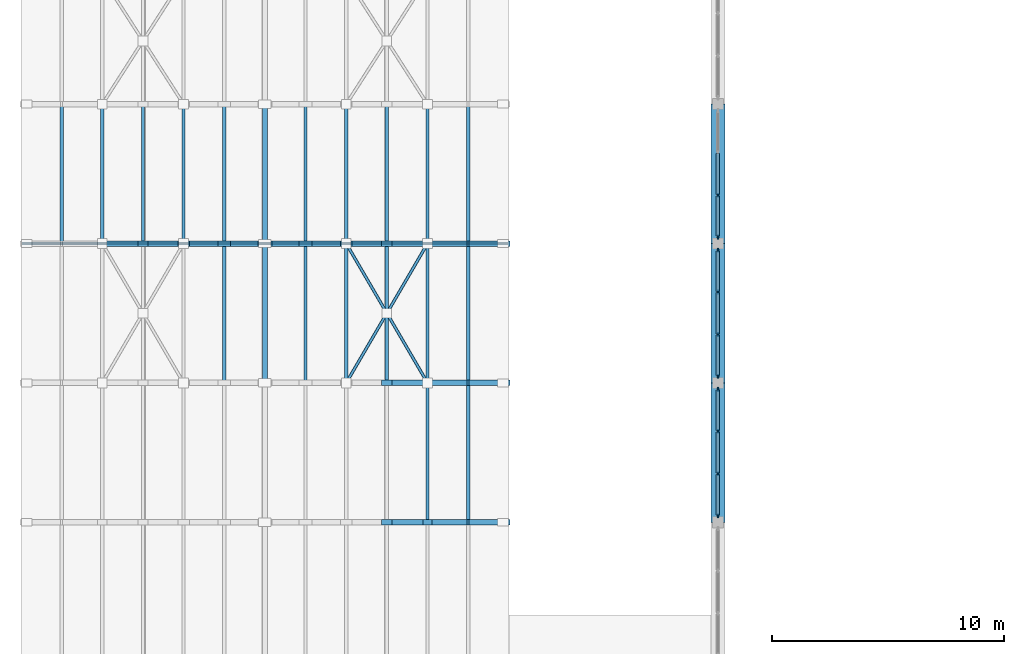
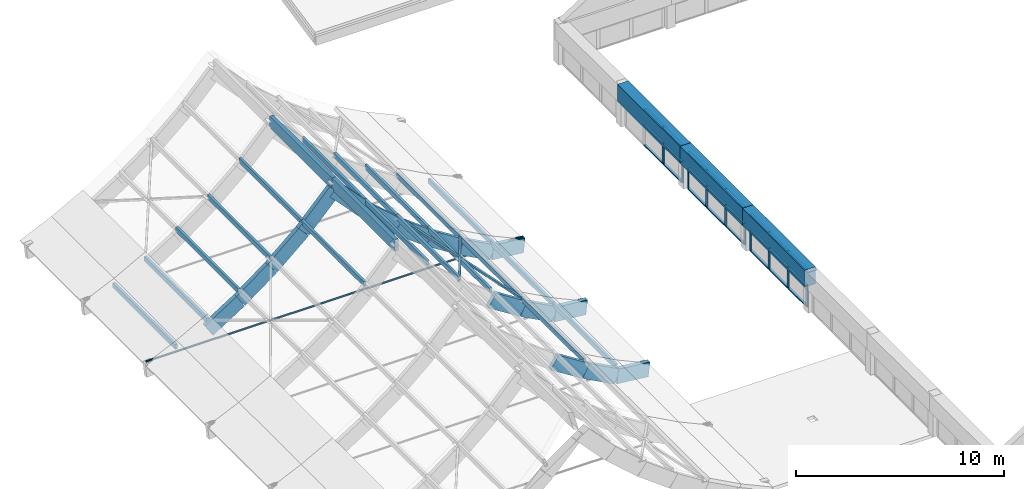
# One storey, part 8 of 45: 72 members, 5 beams, 3 elements without a shape of their own.
"""IFC4 building model written with IfcOpenShell, lengths in metres."""

from ifc_helpers import new_model, si_unit, direction, frame, origin, origin_2d, place, context, subcontext, project, spatial, rectangle, hollow_rectangle, hollow_circle, extrude, material, layer, layer_set, material_profile, profile_set, type_object, element, aggregate, save


model = new_model("IFC4")

# Units and contexts
model_context = context("Model", 3, precision=1e-05, world=origin(), true_north=direction((0.0, 1.0)))
body_context = subcontext(model_context, "Body", "Model", "MODEL_VIEW")
ifc_project = project(units=[si_unit("LENGTHUNIT", "METRE"), si_unit("AREAUNIT", "SQUARE_METRE"), si_unit("VOLUMEUNIT", "CUBIC_METRE"), si_unit("PLANEANGLEUNIT", "RADIAN"), si_unit("MASSUNIT", "GRAM", prefix="KILO")], contexts=[model_context])

# Site, building, storey
site_placement = place(None, origin())
site = spatial("IfcSite", under=ifc_project, at=site_placement, CompositionType="ELEMENT")
building_placement = place(site_placement, origin())
building = spatial("IfcBuilding", under=site, at=building_placement, Name="Solvane Community Centre", CompositionType="ELEMENT")
storey_placement = place(building_placement, frame((0.0, 0.0, 13.800048828125)))
storey = spatial("IfcBuildingStorey", under=building, at=storey_placement, Name="L03", CompositionType="ELEMENT", Elevation=13.800048828125)

# Beams
ifc_material_1 = material(Name="Glulam GL32h", Category="wood")
ifc_material_profile_1 = material_profile(ifc_material_1, rectangle(XDim=0.219970703125, YDim=0.679931640625, at=origin_2d()), Name="GL32h 220x680")
ifc_profile_set_1 = profile_set([ifc_material_profile_1], Name="Glulam GL32h")
beam_type_1 = type_object("IfcBeamType", Name="Glulam Sports Vault Ridge 220x680", PredefinedType="USERDEFINED", material=ifc_profile_set_1)
for number, where, z_axis, x_axis, name in (
    (1, (16.5, 60.0, 6.96044921875), (0.0, 1.0, 0.0), (-1.0, 0.0, 0.0), "Beam BM-L03-165_600-165_660"),
    (2, (16.5, 66.0, 6.96044921875), (0.0, 1.0, 0.0), (-1.0, 0.0, 0.0), "Beam BM-L03-165_660-165_720"),
):
    element("IfcBeam", number, at=place(storey_placement, frame(where, z_axis=z_axis, x_axis=x_axis)), inside=storey, type_object=beam_type_1, Name=name, ObjectType="GIRDER", PredefinedType="USERDEFINED", context=body_context, shape_type="SweptSolid", body=[
        extrude(rectangle(XDim=0.219970703125, YDim=0.679931640625, at=origin_2d()), origin(), (0.0, 0.0, 1.0), 6.0),
    ])

# Curtain wall, members
ifc_material_2 = material(Name="Anodised bronze aluminium AW-6063 T6", Category="aluminium")
ifc_layer = layer(ifc_material_2, 0.179931640625)
ifc_layer_set = layer_set([ifc_layer], Name="Anodised bronze aluminium AW-6063 T6")
curtain_wall_type = type_object("IfcCurtainWallType", Name="Hall Translucent Upper Curtain Wall [55x22dm]", PredefinedType="NOTDEFINED", material=ifc_layer_set)
curtain_wall_1_placement = place(storey_placement, origin())
curtain_wall_1 = element("IfcCurtainWall", 3, at=curtain_wall_1_placement, inside=storey, type_object=curtain_wall_type, Name="Curtain Wall CW-L03-360_717-130", PredefinedType="NOTDEFINED")
ifc_material_profile_2 = material_profile(ifc_material_2, rectangle(XDim=0.06005859375, YDim=0.179931640625, at=origin_2d()), Name="CW-M 60x180")
ifc_profile_set_2 = profile_set([ifc_material_profile_2], Name="Anodised bronze aluminium AW-6063 T6")
member_type_1 = type_object("IfcMemberType", Name="Hall Mullion 60x180", PredefinedType="MULLION", material=ifc_profile_set_2)
member_1_placement = place(storey_placement, frame((36.0, 68.0849609375, 0.0), z_axis=(0.0, 0.0, 1.0), x_axis=(1.0, 0.0, 0.0)))
member_1 = element("IfcMember", 4, at=member_1_placement, type_object=member_type_1, Name="CW01-55x22 mullion 3", PredefinedType="MULLION", context=body_context, shape_type="SweptSolid", body=[
    extrude(rectangle(XDim=0.06005859375, YDim=0.179931640625, at=origin_2d()), origin(), (0.0, 0.0, 1.0), 2.179931640625),
])
member_2_placement = place(storey_placement, frame((36.0, 66.284912109375, 0.0), z_axis=(0.0, 0.0, 1.0), x_axis=(1.0, 0.0, 0.0)))
member_2 = element("IfcMember", 5, at=member_2_placement, type_object=member_type_1, Name="CW01-55x22 mullion 4", PredefinedType="MULLION", context=body_context, shape_type="SweptSolid", body=[
    extrude(rectangle(XDim=0.06005859375, YDim=0.179931640625, at=origin_2d()), origin(), (0.0, 0.0, 1.0), 2.179931640625),
])

curtain_wall_2_placement = place(storey_placement, origin())
curtain_wall_2 = element("IfcCurtainWall", 6, at=curtain_wall_2_placement, inside=storey, type_object=curtain_wall_type, Name="Curtain Wall CW-L03-360_657-131", PredefinedType="NOTDEFINED")
member_3_placement = place(storey_placement, frame((36.0, 65.715087890625, 0.0), z_axis=(0.0, 0.0, 1.0), x_axis=(1.0, 0.0, 0.0)))
member_3 = element("IfcMember", 7, at=member_3_placement, type_object=member_type_1, Name="CW01-55x22 mullion 1", PredefinedType="MULLION", context=body_context, shape_type="SweptSolid", body=[
    extrude(rectangle(XDim=0.06005859375, YDim=0.179931640625, at=origin_2d()), origin(), (0.0, 0.0, 1.0), 2.179931640625),
])
member_4_placement = place(storey_placement, frame((36.0, 63.9150390625, 0.0), z_axis=(0.0, 0.0, 1.0), x_axis=(1.0, 0.0, 0.0)))
member_4 = element("IfcMember", 8, at=member_4_placement, type_object=member_type_1, Name="CW01-55x22 mullion 2", PredefinedType="MULLION", context=body_context, shape_type="SweptSolid", body=[
    extrude(rectangle(XDim=0.06005859375, YDim=0.179931640625, at=origin_2d()), origin(), (0.0, 0.0, 1.0), 2.179931640625),
])
member_5_placement = place(storey_placement, frame((36.0, 62.0849609375, 0.0), z_axis=(0.0, 0.0, 1.0), x_axis=(1.0, 0.0, 0.0)))
member_5 = element("IfcMember", 9, at=member_5_placement, type_object=member_type_1, Name="CW01-55x22 mullion 3", PredefinedType="MULLION", context=body_context, shape_type="SweptSolid", body=[
    extrude(rectangle(XDim=0.06005859375, YDim=0.179931640625, at=origin_2d()), origin(), (0.0, 0.0, 1.0), 2.179931640625),
])
member_6_placement = place(storey_placement, frame((36.0, 60.284912109375, 0.0), z_axis=(0.0, 0.0, 1.0), x_axis=(1.0, 0.0, 0.0)))
member_6 = element("IfcMember", 10, at=member_6_placement, type_object=member_type_1, Name="CW01-55x22 mullion 4", PredefinedType="MULLION", context=body_context, shape_type="SweptSolid", body=[
    extrude(rectangle(XDim=0.06005859375, YDim=0.179931640625, at=origin_2d()), origin(), (0.0, 0.0, 1.0), 2.179931640625),
])

curtain_wall_3_placement = place(storey_placement, origin())
curtain_wall_3 = element("IfcCurtainWall", 11, at=curtain_wall_3_placement, inside=storey, type_object=curtain_wall_type, Name="Curtain Wall CW-L03-360_597-132", PredefinedType="NOTDEFINED")
member_7_placement = place(storey_placement, frame((36.0, 59.715087890625, 0.0), z_axis=(0.0, 0.0, 1.0), x_axis=(1.0, 0.0, 0.0)))
member_7 = element("IfcMember", 12, at=member_7_placement, type_object=member_type_1, Name="CW01-55x22 mullion 1", PredefinedType="MULLION", context=body_context, shape_type="SweptSolid", body=[
    extrude(rectangle(XDim=0.06005859375, YDim=0.179931640625, at=origin_2d()), origin(), (0.0, 0.0, 1.0), 2.179931640625),
])
member_8_placement = place(storey_placement, frame((36.0, 57.9150390625, 0.0), z_axis=(0.0, 0.0, 1.0), x_axis=(1.0, 0.0, 0.0)))
member_8 = element("IfcMember", 13, at=member_8_placement, type_object=member_type_1, Name="CW01-55x22 mullion 2", PredefinedType="MULLION", context=body_context, shape_type="SweptSolid", body=[
    extrude(rectangle(XDim=0.06005859375, YDim=0.179931640625, at=origin_2d()), origin(), (0.0, 0.0, 1.0), 2.179931640625),
])
member_9_placement = place(storey_placement, frame((36.0, 56.0849609375, 0.0), z_axis=(0.0, 0.0, 1.0), x_axis=(1.0, 0.0, 0.0)))
member_9 = element("IfcMember", 14, at=member_9_placement, type_object=member_type_1, Name="CW01-55x22 mullion 3", PredefinedType="MULLION", context=body_context, shape_type="SweptSolid", body=[
    extrude(rectangle(XDim=0.06005859375, YDim=0.179931640625, at=origin_2d()), origin(), (0.0, 0.0, 1.0), 2.179931640625),
])
member_10_placement = place(storey_placement, frame((36.0, 54.284912109375, 0.0), z_axis=(0.0, 0.0, 1.0), x_axis=(1.0, 0.0, 0.0)))
member_10 = element("IfcMember", 15, at=member_10_placement, type_object=member_type_1, Name="CW01-55x22 mullion 4", PredefinedType="MULLION", context=body_context, shape_type="SweptSolid", body=[
    extrude(rectangle(XDim=0.06005859375, YDim=0.179931640625, at=origin_2d()), origin(), (0.0, 0.0, 1.0), 2.179931640625),
])

# Member
ifc_material_profile_3 = material_profile(ifc_material_2, rectangle(XDim=0.139892578125, YDim=0.06005859375, at=origin_2d()), Name="CW-T 60x140")
ifc_profile_set_3 = profile_set([ifc_material_profile_3], Name="Anodised bronze aluminium AW-6063 T6")
member_type_2 = type_object("IfcMemberType", Name="Hall Transom 60x140", PredefinedType="USERDEFINED", material=ifc_profile_set_3)
member_11_placement = place(storey_placement, frame((36.0, 69.885009765625, 0.030029296875), z_axis=(0.0, -1.0, 0.0), x_axis=(1.0, 0.0, 0.0)))
member_11 = element("IfcMember", 16, at=member_11_placement, type_object=member_type_2, Name="CW01-55x22 transom 2.1", ObjectType="TRANSOM", PredefinedType="USERDEFINED", context=body_context, shape_type="SweptSolid", body=[
    extrude(rectangle(XDim=0.139892578125, YDim=0.06005859375, at=origin_2d()), origin(), (0.0, 0.0, 1.0), 1.77001953125),
])

member_12_placement = place(storey_placement, frame((36.0, 69.885009765625, 1.198974609375), z_axis=(0.0, -1.0, 0.0), x_axis=(1.0, 0.0, 0.0)))
member_12 = element("IfcMember", 17, at=member_12_placement, type_object=member_type_2, Name="CW01-55x22 transom 2.2", ObjectType="TRANSOM", PredefinedType="USERDEFINED", context=body_context, shape_type="SweptSolid", body=[
    extrude(rectangle(XDim=0.139892578125, YDim=0.06005859375, at=origin_2d()), origin(), (0.0, 0.0, 1.0), 1.77001953125),
])

member_13_placement = place(storey_placement, frame((36.0, 69.885009765625, 2.14990234375), z_axis=(0.0, -1.0, 0.0), x_axis=(1.0, 0.0, 0.0)))
member_13 = element("IfcMember", 18, at=member_13_placement, type_object=member_type_2, Name="CW01-55x22 transom 2.3", ObjectType="TRANSOM", PredefinedType="USERDEFINED", context=body_context, shape_type="SweptSolid", body=[
    extrude(rectangle(XDim=0.139892578125, YDim=0.06005859375, at=origin_2d()), origin(), (0.0, 0.0, 1.0), 1.77001953125),
])

member_14_placement = place(storey_placement, frame((36.0, 68.054931640625, 0.030029296875), z_axis=(0.0, -1.0, 0.0), x_axis=(1.0, 0.0, 0.0)))
member_14 = element("IfcMember", 19, at=member_14_placement, type_object=member_type_2, Name="CW01-55x22 transom 3.1", ObjectType="TRANSOM", PredefinedType="USERDEFINED", context=body_context, shape_type="SweptSolid", body=[
    extrude(rectangle(XDim=0.139892578125, YDim=0.06005859375, at=origin_2d()), origin(), (0.0, 0.0, 1.0), 1.739990234375),
])

member_15_placement = place(storey_placement, frame((36.0, 68.054931640625, 1.198974609375), z_axis=(0.0, -1.0, 0.0), x_axis=(1.0, 0.0, 0.0)))
member_15 = element("IfcMember", 20, at=member_15_placement, type_object=member_type_2, Name="CW01-55x22 transom 3.2", ObjectType="TRANSOM", PredefinedType="USERDEFINED", context=body_context, shape_type="SweptSolid", body=[
    extrude(rectangle(XDim=0.139892578125, YDim=0.06005859375, at=origin_2d()), origin(), (0.0, 0.0, 1.0), 1.739990234375),
])

member_16_placement = place(storey_placement, frame((36.0, 68.054931640625, 2.14990234375), z_axis=(0.0, -1.0, 0.0), x_axis=(1.0, 0.0, 0.0)))
member_16 = element("IfcMember", 21, at=member_16_placement, type_object=member_type_2, Name="CW01-55x22 transom 3.3", ObjectType="TRANSOM", PredefinedType="USERDEFINED", context=body_context, shape_type="SweptSolid", body=[
    extrude(rectangle(XDim=0.139892578125, YDim=0.06005859375, at=origin_2d()), origin(), (0.0, 0.0, 1.0), 1.739990234375),
])

aggregate(curtain_wall_1, [member_1, member_2, member_11, member_12, member_13, member_14, member_15, member_16])

member_17_placement = place(storey_placement, frame((36.0, 65.68505859375, 0.030029296875), z_axis=(0.0, -1.0, 0.0), x_axis=(1.0, 0.0, 0.0)))
member_17 = element("IfcMember", 22, at=member_17_placement, type_object=member_type_2, Name="CW01-55x22 transom 1.1", ObjectType="TRANSOM", PredefinedType="USERDEFINED", context=body_context, shape_type="SweptSolid", body=[
    extrude(rectangle(XDim=0.139892578125, YDim=0.06005859375, at=origin_2d()), origin(), (0.0, 0.0, 1.0), 1.739990234375),
])

member_18_placement = place(storey_placement, frame((36.0, 65.68505859375, 1.198974609375), z_axis=(0.0, -1.0, 0.0), x_axis=(1.0, 0.0, 0.0)))
member_18 = element("IfcMember", 23, at=member_18_placement, type_object=member_type_2, Name="CW01-55x22 transom 1.2", ObjectType="TRANSOM", PredefinedType="USERDEFINED", context=body_context, shape_type="SweptSolid", body=[
    extrude(rectangle(XDim=0.139892578125, YDim=0.06005859375, at=origin_2d()), origin(), (0.0, 0.0, 1.0), 1.739990234375),
])

member_19_placement = place(storey_placement, frame((36.0, 65.68505859375, 2.14990234375), z_axis=(0.0, -1.0, 0.0), x_axis=(1.0, 0.0, 0.0)))
member_19 = element("IfcMember", 24, at=member_19_placement, type_object=member_type_2, Name="CW01-55x22 transom 1.3", ObjectType="TRANSOM", PredefinedType="USERDEFINED", context=body_context, shape_type="SweptSolid", body=[
    extrude(rectangle(XDim=0.139892578125, YDim=0.06005859375, at=origin_2d()), origin(), (0.0, 0.0, 1.0), 1.739990234375),
])

member_20_placement = place(storey_placement, frame((36.0, 63.885009765625, 0.030029296875), z_axis=(0.0, -1.0, 0.0), x_axis=(1.0, 0.0, 0.0)))
member_20 = element("IfcMember", 25, at=member_20_placement, type_object=member_type_2, Name="CW01-55x22 transom 2.1", ObjectType="TRANSOM", PredefinedType="USERDEFINED", context=body_context, shape_type="SweptSolid", body=[
    extrude(rectangle(XDim=0.139892578125, YDim=0.06005859375, at=origin_2d()), origin(), (0.0, 0.0, 1.0), 1.77001953125),
])

member_21_placement = place(storey_placement, frame((36.0, 63.885009765625, 1.198974609375), z_axis=(0.0, -1.0, 0.0), x_axis=(1.0, 0.0, 0.0)))
member_21 = element("IfcMember", 26, at=member_21_placement, type_object=member_type_2, Name="CW01-55x22 transom 2.2", ObjectType="TRANSOM", PredefinedType="USERDEFINED", context=body_context, shape_type="SweptSolid", body=[
    extrude(rectangle(XDim=0.139892578125, YDim=0.06005859375, at=origin_2d()), origin(), (0.0, 0.0, 1.0), 1.77001953125),
])

member_22_placement = place(storey_placement, frame((36.0, 63.885009765625, 2.14990234375), z_axis=(0.0, -1.0, 0.0), x_axis=(1.0, 0.0, 0.0)))
member_22 = element("IfcMember", 27, at=member_22_placement, type_object=member_type_2, Name="CW01-55x22 transom 2.3", ObjectType="TRANSOM", PredefinedType="USERDEFINED", context=body_context, shape_type="SweptSolid", body=[
    extrude(rectangle(XDim=0.139892578125, YDim=0.06005859375, at=origin_2d()), origin(), (0.0, 0.0, 1.0), 1.77001953125),
])

member_23_placement = place(storey_placement, frame((36.0, 62.054931640625, 0.030029296875), z_axis=(0.0, -1.0, 0.0), x_axis=(1.0, 0.0, 0.0)))
member_23 = element("IfcMember", 28, at=member_23_placement, type_object=member_type_2, Name="CW01-55x22 transom 3.1", ObjectType="TRANSOM", PredefinedType="USERDEFINED", context=body_context, shape_type="SweptSolid", body=[
    extrude(rectangle(XDim=0.139892578125, YDim=0.06005859375, at=origin_2d()), origin(), (0.0, 0.0, 1.0), 1.739990234375),
])

member_24_placement = place(storey_placement, frame((36.0, 62.054931640625, 1.198974609375), z_axis=(0.0, -1.0, 0.0), x_axis=(1.0, 0.0, 0.0)))
member_24 = element("IfcMember", 29, at=member_24_placement, type_object=member_type_2, Name="CW01-55x22 transom 3.2", ObjectType="TRANSOM", PredefinedType="USERDEFINED", context=body_context, shape_type="SweptSolid", body=[
    extrude(rectangle(XDim=0.139892578125, YDim=0.06005859375, at=origin_2d()), origin(), (0.0, 0.0, 1.0), 1.739990234375),
])

member_25_placement = place(storey_placement, frame((36.0, 62.054931640625, 2.14990234375), z_axis=(0.0, -1.0, 0.0), x_axis=(1.0, 0.0, 0.0)))
member_25 = element("IfcMember", 30, at=member_25_placement, type_object=member_type_2, Name="CW01-55x22 transom 3.3", ObjectType="TRANSOM", PredefinedType="USERDEFINED", context=body_context, shape_type="SweptSolid", body=[
    extrude(rectangle(XDim=0.139892578125, YDim=0.06005859375, at=origin_2d()), origin(), (0.0, 0.0, 1.0), 1.739990234375),
])

aggregate(curtain_wall_2, [member_3, member_4, member_5, member_6, member_17, member_18, member_19, member_20, member_21, member_22, member_23, member_24, member_25])

member_26_placement = place(storey_placement, frame((36.0, 59.68505859375, 0.030029296875), z_axis=(0.0, -1.0, 0.0), x_axis=(1.0, 0.0, 0.0)))
member_26 = element("IfcMember", 31, at=member_26_placement, type_object=member_type_2, Name="CW01-55x22 transom 1.1", ObjectType="TRANSOM", PredefinedType="USERDEFINED", context=body_context, shape_type="SweptSolid", body=[
    extrude(rectangle(XDim=0.139892578125, YDim=0.06005859375, at=origin_2d()), origin(), (0.0, 0.0, 1.0), 1.739990234375),
])

member_27_placement = place(storey_placement, frame((36.0, 59.68505859375, 1.198974609375), z_axis=(0.0, -1.0, 0.0), x_axis=(1.0, 0.0, 0.0)))
member_27 = element("IfcMember", 32, at=member_27_placement, type_object=member_type_2, Name="CW01-55x22 transom 1.2", ObjectType="TRANSOM", PredefinedType="USERDEFINED", context=body_context, shape_type="SweptSolid", body=[
    extrude(rectangle(XDim=0.139892578125, YDim=0.06005859375, at=origin_2d()), origin(), (0.0, 0.0, 1.0), 1.739990234375),
])

member_28_placement = place(storey_placement, frame((36.0, 59.68505859375, 2.14990234375), z_axis=(0.0, -1.0, 0.0), x_axis=(1.0, 0.0, 0.0)))
member_28 = element("IfcMember", 33, at=member_28_placement, type_object=member_type_2, Name="CW01-55x22 transom 1.3", ObjectType="TRANSOM", PredefinedType="USERDEFINED", context=body_context, shape_type="SweptSolid", body=[
    extrude(rectangle(XDim=0.139892578125, YDim=0.06005859375, at=origin_2d()), origin(), (0.0, 0.0, 1.0), 1.739990234375),
])

member_29_placement = place(storey_placement, frame((36.0, 57.885009765625, 0.030029296875), z_axis=(0.0, -1.0, 0.0), x_axis=(1.0, 0.0, 0.0)))
member_29 = element("IfcMember", 34, at=member_29_placement, type_object=member_type_2, Name="CW01-55x22 transom 2.1", ObjectType="TRANSOM", PredefinedType="USERDEFINED", context=body_context, shape_type="SweptSolid", body=[
    extrude(rectangle(XDim=0.139892578125, YDim=0.06005859375, at=origin_2d()), origin(), (0.0, 0.0, 1.0), 1.77001953125),
])

member_30_placement = place(storey_placement, frame((36.0, 57.885009765625, 1.198974609375), z_axis=(0.0, -1.0, 0.0), x_axis=(1.0, 0.0, 0.0)))
member_30 = element("IfcMember", 35, at=member_30_placement, type_object=member_type_2, Name="CW01-55x22 transom 2.2", ObjectType="TRANSOM", PredefinedType="USERDEFINED", context=body_context, shape_type="SweptSolid", body=[
    extrude(rectangle(XDim=0.139892578125, YDim=0.06005859375, at=origin_2d()), origin(), (0.0, 0.0, 1.0), 1.77001953125),
])

member_31_placement = place(storey_placement, frame((36.0, 57.885009765625, 2.14990234375), z_axis=(0.0, -1.0, 0.0), x_axis=(1.0, 0.0, 0.0)))
member_31 = element("IfcMember", 36, at=member_31_placement, type_object=member_type_2, Name="CW01-55x22 transom 2.3", ObjectType="TRANSOM", PredefinedType="USERDEFINED", context=body_context, shape_type="SweptSolid", body=[
    extrude(rectangle(XDim=0.139892578125, YDim=0.06005859375, at=origin_2d()), origin(), (0.0, 0.0, 1.0), 1.77001953125),
])

member_32_placement = place(storey_placement, frame((36.0, 56.054931640625, 0.030029296875), z_axis=(0.0, -1.0, 0.0), x_axis=(1.0, 0.0, 0.0)))
member_32 = element("IfcMember", 37, at=member_32_placement, type_object=member_type_2, Name="CW01-55x22 transom 3.1", ObjectType="TRANSOM", PredefinedType="USERDEFINED", context=body_context, shape_type="SweptSolid", body=[
    extrude(rectangle(XDim=0.139892578125, YDim=0.06005859375, at=origin_2d()), origin(), (0.0, 0.0, 1.0), 1.739990234375),
])

member_33_placement = place(storey_placement, frame((36.0, 56.054931640625, 1.198974609375), z_axis=(0.0, -1.0, 0.0), x_axis=(1.0, 0.0, 0.0)))
member_33 = element("IfcMember", 38, at=member_33_placement, type_object=member_type_2, Name="CW01-55x22 transom 3.2", ObjectType="TRANSOM", PredefinedType="USERDEFINED", context=body_context, shape_type="SweptSolid", body=[
    extrude(rectangle(XDim=0.139892578125, YDim=0.06005859375, at=origin_2d()), origin(), (0.0, 0.0, 1.0), 1.739990234375),
])

member_34_placement = place(storey_placement, frame((36.0, 56.054931640625, 2.14990234375), z_axis=(0.0, -1.0, 0.0), x_axis=(1.0, 0.0, 0.0)))
member_34 = element("IfcMember", 39, at=member_34_placement, type_object=member_type_2, Name="CW01-55x22 transom 3.3", ObjectType="TRANSOM", PredefinedType="USERDEFINED", context=body_context, shape_type="SweptSolid", body=[
    extrude(rectangle(XDim=0.139892578125, YDim=0.06005859375, at=origin_2d()), origin(), (0.0, 0.0, 1.0), 1.739990234375),
])

aggregate(curtain_wall_3, [member_7, member_8, member_9, member_10, member_26, member_27, member_28, member_29, member_30, member_31, member_32, member_33, member_34])

# Beams
ifc_material_3 = material(Name="Concrete C35/45", Category="concrete")
ifc_material_profile_4 = material_profile(ifc_material_3, rectangle(XDim=0.60009765625, YDim=1.0, at=origin_2d()), Name="RC 600x1000")
ifc_profile_set_4 = profile_set([ifc_material_profile_4], Name="Concrete C35/45")
beam_type_2 = type_object("IfcBeamType", Name="RC Vault Thrust Ring Girder 600x1000", PredefinedType="USERDEFINED", material=ifc_profile_set_4)
for number, where, z_axis, x_axis, name in (
    (40, (36.0, 54.0, 1.89990234375), (0.0, 1.0, 0.0), (-1.0, 0.0, 0.0), "Beam BM-L03-360_540-360_600"),
    (41, (36.0, 60.0, 1.89990234375), (0.0, 1.0, 0.0), (-1.0, 0.0, 0.0), "Beam BM-L03-360_600-360_660"),
    (42, (36.0, 66.0, 1.89990234375), (0.0, 1.0, 0.0), (-1.0, 0.0, 0.0), "Beam BM-L03-360_660-360_720"),
):
    element("IfcBeam", number, at=place(storey_placement, frame(where, z_axis=z_axis, x_axis=x_axis)), inside=storey, type_object=beam_type_2, Name=name, ObjectType="GIRDER", PredefinedType="USERDEFINED", context=body_context, shape_type="SweptSolid", body=[
        extrude(rectangle(XDim=0.60009765625, YDim=1.0, at=origin_2d()), origin(), (0.0, 0.0, 1.0), 6.0),
    ])

# Members
ifc_material_profile_5 = material_profile(ifc_material_1, rectangle(XDim=0.239990234375, YDim=0.840087890625, at=origin_2d()), Name="GL32h 240x840")
ifc_profile_set_5 = profile_set([ifc_material_profile_5], Name="Glulam GL32h")
member_type_3 = type_object("IfcMemberType", Name="Sports Hall Concave Vault Arch Rib 240x840", PredefinedType="USERDEFINED", material=ifc_profile_set_5)
member_35_placement = place(storey_placement, frame((21.75, 54.0, 1.934326171875), z_axis=(0.844804868762, 0.0, -0.535074512302), x_axis=(0.0, 1.0, 0.0)))
element("IfcMember", 43, at=member_35_placement, inside=storey, type_object=member_type_3, Name="Member MEM-L03-0249", ObjectType="ARCH_SEGMENT", PredefinedType="USERDEFINED", context=body_context, shape_type="SweptSolid", body=[
    extrude(rectangle(XDim=0.239990234375, YDim=0.840087890625, at=origin_2d()), origin(), (0.0, 0.0, 1.0), 2.071533203125),
])
member_36_placement = place(storey_placement, frame((23.5, 54.0, 0.825927734375), z_axis=(0.881019095166, 0.0, -0.473080705538), x_axis=(0.0, 1.0, 0.0)))
element("IfcMember", 44, at=member_36_placement, inside=storey, type_object=member_type_3, Name="Member MEM-L03-0250", ObjectType="ARCH_SEGMENT", PredefinedType="USERDEFINED", context=body_context, shape_type="SweptSolid", body=[
    extrude(rectangle(XDim=0.239990234375, YDim=0.840087890625, at=origin_2d()), origin(), (0.0, 0.0, 1.0), 1.986328125),
])
member_37_placement = place(storey_placement, frame((25.25, 54.0, -0.11376953125), z_axis=(0.994382391081, 0.0, -0.105847344363), x_axis=(0.0, 1.0, 0.0)))
element("IfcMember", 45, at=member_37_placement, inside=storey, type_object=member_type_3, Name="Member MEM-L03-0251", ObjectType="ARCH_SEGMENT", PredefinedType="USERDEFINED", context=body_context, shape_type="SweptSolid", body=[
    extrude(rectangle(XDim=0.239990234375, YDim=0.840087890625, at=origin_2d()), origin(), (0.0, 0.0, 1.0), 1.759765625),
])
member_38_placement = place(storey_placement, frame((21.75, 60.0, 1.934326171875), z_axis=(0.844804868762, 0.0, -0.535074512302), x_axis=(0.0, 1.0, 0.0)))
element("IfcMember", 46, at=member_38_placement, inside=storey, type_object=member_type_3, Name="Member MEM-L03-0262", ObjectType="ARCH_SEGMENT", PredefinedType="USERDEFINED", context=body_context, shape_type="SweptSolid", body=[
    extrude(rectangle(XDim=0.239990234375, YDim=0.840087890625, at=origin_2d()), origin(), (0.0, 0.0, 1.0), 2.071533203125),
])
member_39_placement = place(storey_placement, frame((23.5, 60.0, 0.825927734375), z_axis=(0.881019095166, 0.0, -0.473080705538), x_axis=(0.0, 1.0, 0.0)))
element("IfcMember", 47, at=member_39_placement, inside=storey, type_object=member_type_3, Name="Member MEM-L03-0263", ObjectType="ARCH_SEGMENT", PredefinedType="USERDEFINED", context=body_context, shape_type="SweptSolid", body=[
    extrude(rectangle(XDim=0.239990234375, YDim=0.840087890625, at=origin_2d()), origin(), (0.0, 0.0, 1.0), 1.986328125),
])
member_40_placement = place(storey_placement, frame((25.25, 60.0, -0.11376953125), z_axis=(0.994382391081, 0.0, -0.105847344363), x_axis=(0.0, 1.0, 0.0)))
element("IfcMember", 48, at=member_40_placement, inside=storey, type_object=member_type_3, Name="Member MEM-L03-0264", ObjectType="ARCH_SEGMENT", PredefinedType="USERDEFINED", context=body_context, shape_type="SweptSolid", body=[
    extrude(rectangle(XDim=0.239990234375, YDim=0.840087890625, at=origin_2d()), origin(), (0.0, 0.0, 1.0), 1.759765625),
])
member_41_placement = place(storey_placement, frame((9.5, 66.0, 0.825927734375), z_axis=(0.844804868762, 0.0, 0.535074512302), x_axis=(0.0, 1.0, 0.0)))
element("IfcMember", 49, at=member_41_placement, inside=storey, type_object=member_type_3, Name="Member MEM-L03-0268", ObjectType="ARCH_SEGMENT", PredefinedType="USERDEFINED", context=body_context, shape_type="SweptSolid", body=[
    extrude(rectangle(XDim=0.239990234375, YDim=0.840087890625, at=origin_2d()), origin(), (0.0, 0.0, 1.0), 2.071533203125),
])
member_42_placement = place(storey_placement, frame((11.25, 66.0, 1.934326171875), z_axis=(0.802143469144, 0.0, 0.59713135482), x_axis=(0.0, 1.0, 0.0)))
element("IfcMember", 50, at=member_42_placement, inside=storey, type_object=member_type_3, Name="Member MEM-L03-0269", ObjectType="ARCH_SEGMENT", PredefinedType="USERDEFINED", context=body_context, shape_type="SweptSolid", body=[
    extrude(rectangle(XDim=0.239990234375, YDim=0.840087890625, at=origin_2d()), origin(), (0.0, 0.0, 1.0), 2.181640625),
])
member_43_placement = place(storey_placement, frame((13.0, 66.0, 3.237060546875), z_axis=(0.752160526531, 0.0, 0.658979925588), x_axis=(0.0, 1.0, 0.0)))
element("IfcMember", 51, at=member_43_placement, inside=storey, type_object=member_type_3, Name="Member MEM-L03-0270", ObjectType="ARCH_SEGMENT", PredefinedType="USERDEFINED", context=body_context, shape_type="SweptSolid", body=[
    extrude(rectangle(XDim=0.239990234375, YDim=0.840087890625, at=origin_2d()), origin(), (0.0, 0.0, 1.0), 2.32666015625),
])
for number, where, z_axis, x_axis, name in (
    (52, (14.75, 66.0, 4.770263671875), (0.68617646553, 0.0, 0.727435122986), (0.0, 1.0, 0.0), "Member MEM-L03-0271"),
    (53, (16.5, 66.0, 6.62548828125), (0.68617646553, 0.0, -0.727435122986), (0.0, 1.0, 0.0), "Member MEM-L03-0272"),
):
    element("IfcMember", number, at=place(storey_placement, frame(where, z_axis=z_axis, x_axis=x_axis)), inside=storey, type_object=member_type_3, Name=name, ObjectType="ARCH_SEGMENT", PredefinedType="USERDEFINED", context=body_context, shape_type="SweptSolid", body=[
        extrude(rectangle(XDim=0.239990234375, YDim=0.840087890625, at=origin_2d()), origin(), (0.0, 0.0, 1.0), 2.55029296875),
    ])
member_44_placement = place(storey_placement, frame((18.25, 66.0, 4.770263671875), z_axis=(0.752160526531, 0.0, -0.658979925588), x_axis=(0.0, 1.0, 0.0)))
element("IfcMember", 54, at=member_44_placement, inside=storey, type_object=member_type_3, Name="Member MEM-L03-0273", ObjectType="ARCH_SEGMENT", PredefinedType="USERDEFINED", context=body_context, shape_type="SweptSolid", body=[
    extrude(rectangle(XDim=0.239990234375, YDim=0.840087890625, at=origin_2d()), origin(), (0.0, 0.0, 1.0), 2.32666015625),
])
member_45_placement = place(storey_placement, frame((20.0, 66.0, 3.237060546875), z_axis=(0.802143469144, 0.0, -0.59713135482), x_axis=(0.0, 1.0, 0.0)))
element("IfcMember", 55, at=member_45_placement, inside=storey, type_object=member_type_3, Name="Member MEM-L03-0274", ObjectType="ARCH_SEGMENT", PredefinedType="USERDEFINED", context=body_context, shape_type="SweptSolid", body=[
    extrude(rectangle(XDim=0.239990234375, YDim=0.840087890625, at=origin_2d()), origin(), (0.0, 0.0, 1.0), 2.181640625),
])
member_46_placement = place(storey_placement, frame((21.75, 66.0, 1.934326171875), z_axis=(0.844804868762, 0.0, -0.535074512302), x_axis=(0.0, 1.0, 0.0)))
element("IfcMember", 56, at=member_46_placement, inside=storey, type_object=member_type_3, Name="Member MEM-L03-0275", ObjectType="ARCH_SEGMENT", PredefinedType="USERDEFINED", context=body_context, shape_type="SweptSolid", body=[
    extrude(rectangle(XDim=0.239990234375, YDim=0.840087890625, at=origin_2d()), origin(), (0.0, 0.0, 1.0), 2.071533203125),
])
member_47_placement = place(storey_placement, frame((23.5, 66.0, 0.825927734375), z_axis=(0.881019095166, 0.0, -0.473080705538), x_axis=(0.0, 1.0, 0.0)))
element("IfcMember", 57, at=member_47_placement, inside=storey, type_object=member_type_3, Name="Member MEM-L03-0276", ObjectType="ARCH_SEGMENT", PredefinedType="USERDEFINED", context=body_context, shape_type="SweptSolid", body=[
    extrude(rectangle(XDim=0.239990234375, YDim=0.840087890625, at=origin_2d()), origin(), (0.0, 0.0, 1.0), 1.986328125),
])
member_48_placement = place(storey_placement, frame((25.25, 66.0, -0.11376953125), z_axis=(0.994382391081, 0.0, -0.105847344363), x_axis=(0.0, 1.0, 0.0)))
element("IfcMember", 58, at=member_48_placement, inside=storey, type_object=member_type_3, Name="Member MEM-L03-0277", ObjectType="ARCH_SEGMENT", PredefinedType="USERDEFINED", context=body_context, shape_type="SweptSolid", body=[
    extrude(rectangle(XDim=0.239990234375, YDim=0.840087890625, at=origin_2d()), origin(), (0.0, 0.0, 1.0), 1.759765625),
])
ifc_material_4 = material(Name="Glulam GL28h", Category="wood")
ifc_material_profile_6 = material_profile(ifc_material_4, rectangle(XDim=0.139892578125, YDim=0.280029296875, at=origin_2d()), Name="GL28h 140x280")
ifc_profile_set_6 = profile_set([ifc_material_profile_6], Name="Glulam GL28h")
member_type_4 = type_object("IfcMemberType", Name="Sports Hall Vault Purlin 140x280", PredefinedType="PURLIN", material=ifc_profile_set_6)
for number, where, z_axis, x_axis, name in (
    (59, (23.5, 54.0, 1.36083984375), (0.0, 1.0, 0.0), (-1.0, 0.0, 0.0), "Member MEM-L03-0336"),
    (60, (25.25, 54.0, 0.421142578125), (0.0, 1.0, 0.0), (-1.0, 0.0, 0.0), "Member MEM-L03-0337"),
    (61, (14.75, 60.0, 5.305419921875), (0.0, 1.0, 0.0), (-1.0, 0.0, 0.0), "Member MEM-L03-0342"),
    (62, (18.25, 60.0, 5.305419921875), (0.0, 1.0, 0.0), (-1.0, 0.0, 0.0), "Member MEM-L03-0343"),
    (63, (20.0, 60.0, 3.77197265625), (0.0, 1.0, 0.0), (-1.0, 0.0, 0.0), "Member MEM-L03-0344"),
    (64, (21.75, 60.0, 2.46923828125), (0.0, 1.0, 0.0), (-1.0, 0.0, 0.0), "Member MEM-L03-0345"),
    (65, (23.5, 60.0, 1.36083984375), (0.0, 1.0, 0.0), (-1.0, 0.0, 0.0), "Member MEM-L03-0346"),
    (66, (25.25, 60.0, 0.421142578125), (0.0, 1.0, 0.0), (-1.0, 0.0, 0.0), "Member MEM-L03-0347"),
    (67, (7.75, 66.0, 0.421142578125), (0.0, 1.0, 0.0), (-1.0, 0.0, 0.0), "Member MEM-L03-0352"),
    (68, (9.5, 66.0, 1.36083984375), (0.0, 1.0, 0.0), (-1.0, 0.0, 0.0), "Member MEM-L03-0353"),
    (69, (11.25, 66.0, 2.46923828125), (0.0, 1.0, 0.0), (-1.0, 0.0, 0.0), "Member MEM-L03-0354"),
    (70, (13.0, 66.0, 3.77197265625), (0.0, 1.0, 0.0), (-1.0, 0.0, 0.0), "Member MEM-L03-0355"),
    (71, (14.75, 66.0, 5.305419921875), (0.0, 1.0, 0.0), (-1.0, 0.0, 0.0), "Member MEM-L03-0356"),
    (72, (18.25, 66.0, 5.305419921875), (0.0, 1.0, 0.0), (-1.0, 0.0, 0.0), "Member MEM-L03-0357"),
    (73, (20.0, 66.0, 3.77197265625), (0.0, 1.0, 0.0), (-1.0, 0.0, 0.0), "Member MEM-L03-0358"),
    (74, (21.75, 66.0, 2.46923828125), (0.0, 1.0, 0.0), (-1.0, 0.0, 0.0), "Member MEM-L03-0359"),
    (75, (23.5, 66.0, 1.36083984375), (0.0, 1.0, 0.0), (-1.0, 0.0, 0.0), "Member MEM-L03-0360"),
    (76, (25.25, 66.0, 0.421142578125), (0.0, 1.0, 0.0), (-1.0, 0.0, 0.0), "Member MEM-L03-0361"),
):
    element("IfcMember", number, at=place(storey_placement, frame(where, z_axis=z_axis, x_axis=x_axis)), inside=storey, type_object=member_type_4, Name=name, PredefinedType="PURLIN", context=body_context, shape_type="SweptSolid", body=[
        extrude(rectangle(XDim=0.139892578125, YDim=0.280029296875, at=origin_2d()), origin(), (0.0, 0.0, 1.0), 6.0),
    ])
ifc_material_5 = material(Name="Steel ASTM A572 Grade 50", Category="steel")
ifc_material_profile_7 = material_profile(ifc_material_5, hollow_circle(Radius=0.05712890625, WallThickness=0.008056640625, at=origin_2d()), Name="CHS 114.3x8.0")
ifc_profile_set_7 = profile_set([ifc_material_profile_7], Name="Steel ASTM A572 Grade 50")
member_type_5 = type_object("IfcMemberType", Name="Sports Vault Tension Tie Rod CHS114", PredefinedType="CHORD", material=ifc_profile_set_7)
member_49_placement = place(storey_placement, frame((6.0400390625, 66.0, 0.14990234375), z_axis=(1.0, 0.0, 0.0), x_axis=(0.0, 1.0, 0.0)))
element("IfcMember", 77, at=member_49_placement, inside=storey, type_object=member_type_5, Name="Member MEM-L03-0278", PredefinedType="CHORD", context=body_context, shape_type="SweptSolid", body=[
    extrude(hollow_circle(Radius=0.05712890625, WallThickness=0.008056640625, at=origin_2d()), origin(), (0.0, 0.0, 1.0), 20.919921875),
])
ifc_material_profile_8 = material_profile(ifc_material_5, hollow_rectangle(XDim=0.126953125, YDim=0.126953125, WallThickness=0.008056640625, InnerFilletRadius=0.008056640625, OuterFilletRadius=0.01611328125, at=origin_2d()), Name="HSS 127x127x8.0")
ifc_profile_set_8 = profile_set([ifc_material_profile_8], Name="Steel ASTM A572 Grade 50")
member_type_6 = type_object("IfcMemberType", Name="Sports Vault Wind X-Brace HSS127", PredefinedType="BRACE", material=ifc_profile_set_8)
member_50_placement = place(storey_placement, frame((20.0, 60.0, 3.77197265625), z_axis=(0.476009607783, 0.816016470485, -0.327920681255), x_axis=(-0.863778900898, 0.503871025524, 0.0)))
element("IfcMember", 78, at=member_50_placement, inside=storey, type_object=member_type_6, Name="Member MEM-L03-0350", PredefinedType="BRACE", context=body_context, shape_type="SweptSolid", body=[
    extrude(hollow_rectangle(XDim=0.126953125, YDim=0.126953125, WallThickness=0.008056640625, InnerFilletRadius=0.008056640625, OuterFilletRadius=0.01611328125, at=origin_2d()), origin(), (0.0, 0.0, 1.0), 7.352783203125),
])
for number, where, z_axis, x_axis, name in (
    (79, (23.5, 60.0, 1.36083984375), (-0.475993352074, 0.816017696133, 0.327941227021), (-0.863786719375, -0.503857622183, 0.0), "Member MEM-L03-0351"),
    (80, (21.7119140625, 63.065185546875, 2.592529296875), (-0.475993352074, 0.816017696133, 0.327941227021), (-0.863786719375, -0.503857622183, 0.0), "Member MEM-XBR-L03-0010"),
):
    element("IfcMember", number, at=place(storey_placement, frame(where, z_axis=z_axis, x_axis=x_axis)), inside=storey, type_object=member_type_6, Name=name, PredefinedType="BRACE", context=body_context, shape_type="SweptSolid", body=[
        extrude(hollow_rectangle(XDim=0.126953125, YDim=0.126953125, WallThickness=0.008056640625, InnerFilletRadius=0.008056640625, OuterFilletRadius=0.01611328125, at=origin_2d()), origin(), (0.0, 0.0, 1.0), 3.596435546875),
    ])

save(model, "model.ifc")
